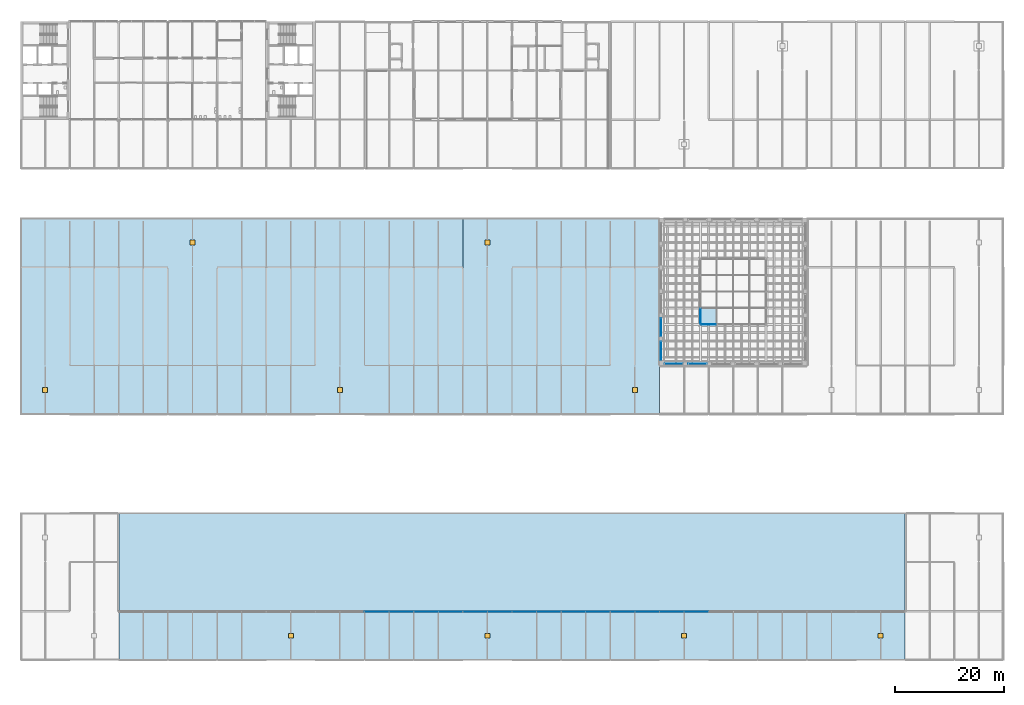
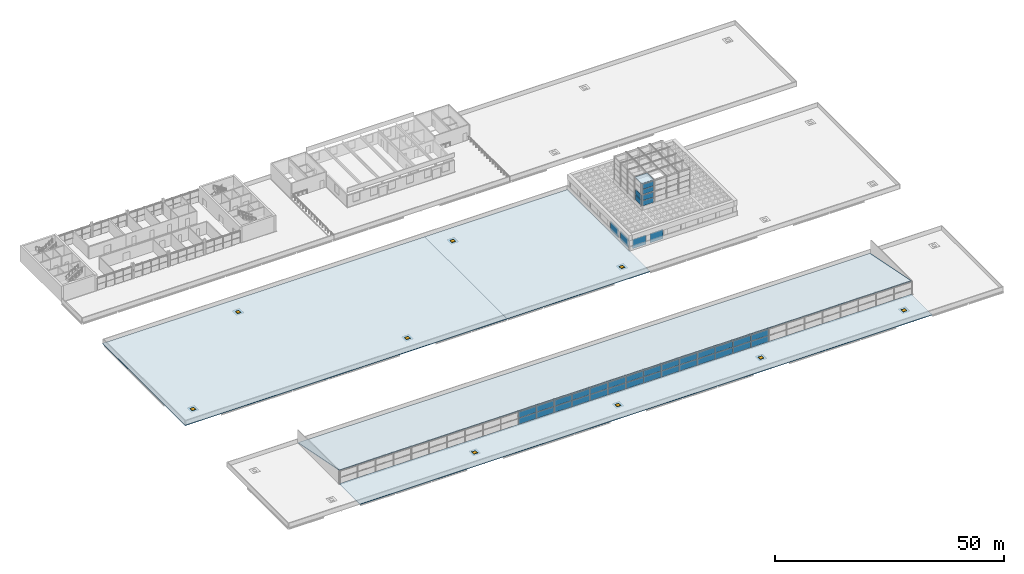
# One storey, part 38 of 50: 39 plates, 9 doors, 4 slabs, 9 openings, 15 elements without a shape of their own.
"""IFC4 building model written with IfcOpenShell, lengths in metres."""

from ifc_helpers import new_model, si_unit, direction, frame, origin, origin_2d, place, context, subcontext, project, spatial, polyline, rectangle, outline, extrude, material, layer, layer_set, type_object, element, fill, aggregate, save


model = new_model("IFC4")

# Units and contexts
model_context = context("Model", 3, precision=1e-05, world=origin(), true_north=direction((0.0, 1.0)))
body_context = subcontext(model_context, "Body", "Model", "MODEL_VIEW")
ifc_project = project(units=[si_unit("LENGTHUNIT", "METRE"), si_unit("AREAUNIT", "SQUARE_METRE"), si_unit("VOLUMEUNIT", "CUBIC_METRE"), si_unit("PLANEANGLEUNIT", "RADIAN"), si_unit("MASSUNIT", "GRAM", prefix="KILO")], contexts=[model_context])

# Site, building, storey
site_placement = place(None, origin())
site = spatial("IfcSite", under=ifc_project, at=site_placement, CompositionType="ELEMENT")
building_placement = place(site_placement, origin())
building = spatial("IfcBuilding", under=site, at=building_placement, Name="Corbel Yard City Hall", CompositionType="ELEMENT")
storey_placement = place(building_placement, frame((0.0, 0.0, 15.0)))
storey = spatial("IfcBuildingStorey", under=building, at=storey_placement, Name="L03", CompositionType="ELEMENT", Elevation=15.0)

# Curtain wall, plate
ifc_material_1 = material(Name="Stainless steel Grade 316", Category="steel")
ifc_layer_1 = layer(ifc_material_1, 0.050048828125)
ifc_layer_set_1 = layer_set([ifc_layer_1], Name="Stainless steel Grade 316")
curtain_wall_type_1 = type_object("IfcCurtainWallType", Name="CW9", PredefinedType="USERDEFINED", material=ifc_layer_set_1)
curtain_wall_1_placement = place(storey_placement, origin())
curtain_wall_1 = element("IfcCurtainWall", 1, at=curtain_wall_1_placement, inside=storey, type_object=curtain_wall_type_1, Name="Lantern roof glazing", ObjectType="CURTAIN WALL", PredefinedType="USERDEFINED")
ifc_material_2 = material(Name="Laminated heat-strengthened glass", Category="glass")
ifc_layer_2 = layer(ifc_material_2, 0.052001953125)
ifc_layer_set_2 = layer_set([ifc_layer_2], Name="Laminated heat-strengthened glass")
plate_type_1 = type_object("IfcPlateType", Name="PN10", PredefinedType="CURTAIN_PANEL", material=ifc_layer_set_2)
plate_1_placement = place(storey_placement, frame((125.93505859375, 62.93505859375, 10.64990234375), z_axis=(0.0, 0.0, 1.0), x_axis=(1.0, 0.0, 0.0)))
plate_1 = element("IfcPlate", 2, at=plate_1_placement, type_object=plate_type_1, Name="Lantern roof glazing panel", PredefinedType="CURTAIN_PANEL", context=body_context, shape_type="SweptSolid", body=[
    extrude(rectangle(XDim=3.070068359375, YDim=3.070068359375, at=origin_2d()), origin(), (0.0, 0.0, 1.0), 0.052001953125),
])
aggregate(curtain_wall_1, [plate_1])

# Curtain wall, plates
ifc_material_3 = material(Name="Aluminium extrusion", Category="aluminium")
ifc_layer_3 = layer(ifc_material_3, 0.1201171875)
ifc_layer_set_3 = layer_set([ifc_layer_3], Name="Aluminium extrusion")
curtain_wall_type_2 = type_object("IfcCurtainWallType", Name="CW3", PredefinedType="USERDEFINED", material=ifc_layer_set_3)
curtain_wall_2_placement = place(storey_placement, origin())
curtain_wall_2 = element("IfcCurtainWall", 3, at=curtain_wall_2_placement, inside=storey, type_object=curtain_wall_type_2, Name="Lantern glazing", ObjectType="CURTAIN WALL", PredefinedType="USERDEFINED")
ifc_layer_4 = layer(ifc_material_2, 0.0439453125)
ifc_layer_set_4 = layer_set([ifc_layer_4], Name="Laminated heat-strengthened glass")
plate_type_2 = type_object("IfcPlateType", Name="PN3", PredefinedType="CURTAIN_PANEL", material=ifc_layer_set_4)
plate_2_placement = place(storey_placement, frame((126.0, 61.5, 4.7001953125), z_axis=(0.0, 0.0, 1.0), x_axis=(1.0, 0.0, 0.0)))
plate_2 = element("IfcPlate", 4, at=plate_2_placement, type_object=plate_type_2, Name="CW3 panel 1.1", PredefinedType="CURTAIN_PANEL", context=body_context, shape_type="SweptSolid", body=[
    extrude(rectangle(XDim=2.699951171875, YDim=0.0439453125, at=origin_2d()), origin(), (0.0, 0.0, 1.0), 1.387451171875),
])
plate_3_placement = place(storey_placement, frame((126.0, 61.5, 6.1376953125), z_axis=(0.0, 0.0, 1.0), x_axis=(1.0, 0.0, 0.0)))
plate_3 = element("IfcPlate", 5, at=plate_3_placement, type_object=plate_type_2, Name="CW3 panel 1.2", PredefinedType="CURTAIN_PANEL", context=body_context, shape_type="SweptSolid", body=[
    extrude(rectangle(XDim=2.699951171875, YDim=0.0439453125, at=origin_2d()), origin(), (0.0, 0.0, 1.0), 1.387451171875),
])
aggregate(curtain_wall_2, [plate_2, plate_3])

curtain_wall_3_placement = place(storey_placement, origin())
curtain_wall_3 = element("IfcCurtainWall", 6, at=curtain_wall_3_placement, inside=storey, type_object=curtain_wall_type_2, Name="Lantern glazing", ObjectType="CURTAIN WALL", PredefinedType="USERDEFINED")
plate_4_placement = place(storey_placement, frame((124.5, 63.0, 4.7001953125), z_axis=(0.0, 0.0, 1.0), x_axis=(0.0, 1.0, 0.0)))
plate_4 = element("IfcPlate", 7, at=plate_4_placement, type_object=plate_type_2, Name="CW3 panel 1.1", PredefinedType="CURTAIN_PANEL", context=body_context, shape_type="SweptSolid", body=[
    extrude(rectangle(XDim=2.699951171875, YDim=0.0439453125, at=origin_2d()), origin(), (0.0, 0.0, 1.0), 1.387451171875),
])
plate_5_placement = place(storey_placement, frame((124.5, 63.0, 6.1376953125), z_axis=(0.0, 0.0, 1.0), x_axis=(0.0, 1.0, 0.0)))
plate_5 = element("IfcPlate", 8, at=plate_5_placement, type_object=plate_type_2, Name="CW3 panel 1.2", PredefinedType="CURTAIN_PANEL", context=body_context, shape_type="SweptSolid", body=[
    extrude(rectangle(XDim=2.699951171875, YDim=0.0439453125, at=origin_2d()), origin(), (0.0, 0.0, 1.0), 1.387451171875),
])
aggregate(curtain_wall_3, [plate_4, plate_5])

curtain_wall_4_placement = place(storey_placement, origin())
curtain_wall_4 = element("IfcCurtainWall", 9, at=curtain_wall_4_placement, inside=storey, type_object=curtain_wall_type_2, Name="Lantern glazing", ObjectType="CURTAIN WALL", PredefinedType="USERDEFINED")
plate_6_placement = place(storey_placement, frame((126.0, 61.5, 7.77490234375), z_axis=(0.0, 0.0, 1.0), x_axis=(1.0, 0.0, 0.0)))
plate_6 = element("IfcPlate", 10, at=plate_6_placement, type_object=plate_type_2, Name="CW3 panel 1.1", PredefinedType="CURTAIN_PANEL", context=body_context, shape_type="SweptSolid", body=[
    extrude(rectangle(XDim=2.699951171875, YDim=0.0439453125, at=origin_2d()), origin(), (0.0, 0.0, 1.0), 1.3125),
])
plate_7_placement = place(storey_placement, frame((126.0, 61.5, 9.137451171875), z_axis=(0.0, 0.0, 1.0), x_axis=(1.0, 0.0, 0.0)))
plate_7 = element("IfcPlate", 11, at=plate_7_placement, type_object=plate_type_2, Name="CW3 panel 1.2", PredefinedType="CURTAIN_PANEL", context=body_context, shape_type="SweptSolid", body=[
    extrude(rectangle(XDim=2.699951171875, YDim=0.0439453125, at=origin_2d()), origin(), (0.0, 0.0, 1.0), 1.3125),
])
aggregate(curtain_wall_4, [plate_6, plate_7])

# Curtain wall, plate
curtain_wall_5_placement = place(storey_placement, origin())
curtain_wall_5 = element("IfcCurtainWall", 12, at=curtain_wall_5_placement, inside=storey, type_object=curtain_wall_type_2, Name="Chamber clerestory glazing", ObjectType="CURTAIN WALL", PredefinedType="USERDEFINED")
plate_8_placement = place(storey_placement, frame((119.625, 54.300048828125, 0.050048828125), z_axis=(0.0, 0.0, 1.0), x_axis=(1.0, 0.0, 0.0)))
plate_8 = element("IfcPlate", 13, at=plate_8_placement, type_object=plate_type_2, Name="CW3 panel 1.1", PredefinedType="CURTAIN_PANEL", context=body_context, shape_type="SweptSolid", body=[
    extrude(rectangle(XDim=3.35009765625, YDim=0.0439453125, at=origin_2d()), origin(), (0.0, 0.0, 1.0), 2.5),
])
aggregate(curtain_wall_5, [plate_8])

curtain_wall_6_placement = place(storey_placement, origin())
curtain_wall_6 = element("IfcCurtainWall", 14, at=curtain_wall_6_placement, inside=storey, type_object=curtain_wall_type_2, Name="Chamber clerestory glazing", ObjectType="CURTAIN WALL", PredefinedType="USERDEFINED")
plate_9_placement = place(storey_placement, frame((123.97509765625, 54.300048828125, 0.050048828125), z_axis=(0.0, 0.0, 1.0), x_axis=(1.0, 0.0, 0.0)))
plate_9 = element("IfcPlate", 15, at=plate_9_placement, type_object=plate_type_2, Name="CW3 panel 1.1", PredefinedType="CURTAIN_PANEL", context=body_context, shape_type="SweptSolid", body=[
    extrude(rectangle(XDim=3.35009765625, YDim=0.0439453125, at=origin_2d()), origin(), (0.0, 0.0, 1.0), 2.5),
])
aggregate(curtain_wall_6, [plate_9])

curtain_wall_7_placement = place(storey_placement, origin())
curtain_wall_7 = element("IfcCurtainWall", 16, at=curtain_wall_7_placement, inside=storey, type_object=curtain_wall_type_2, Name="Chamber clerestory glazing", ObjectType="CURTAIN WALL", PredefinedType="USERDEFINED")
plate_10_placement = place(storey_placement, frame((117.300048828125, 56.625, 0.050048828125), z_axis=(0.0, 0.0, 1.0), x_axis=(0.0, 1.0, 0.0)))
plate_10 = element("IfcPlate", 17, at=plate_10_placement, type_object=plate_type_2, Name="CW3 panel 1.1", PredefinedType="CURTAIN_PANEL", context=body_context, shape_type="SweptSolid", body=[
    extrude(rectangle(XDim=3.35009765625, YDim=0.0439453125, at=origin_2d()), origin(), (0.0, 0.0, 1.0), 2.5),
])
aggregate(curtain_wall_7, [plate_10])

curtain_wall_8_placement = place(storey_placement, origin())
curtain_wall_8 = element("IfcCurtainWall", 18, at=curtain_wall_8_placement, inside=storey, type_object=curtain_wall_type_2, Name="Chamber clerestory glazing", ObjectType="CURTAIN WALL", PredefinedType="USERDEFINED")
plate_11_placement = place(storey_placement, frame((117.300048828125, 60.97509765625, 0.050048828125), z_axis=(0.0, 0.0, 1.0), x_axis=(0.0, 1.0, 0.0)))
plate_11 = element("IfcPlate", 19, at=plate_11_placement, type_object=plate_type_2, Name="CW3 panel 1.1", PredefinedType="CURTAIN_PANEL", context=body_context, shape_type="SweptSolid", body=[
    extrude(rectangle(XDim=3.35009765625, YDim=0.0439453125, at=origin_2d()), origin(), (0.0, 0.0, 1.0), 2.5),
])
aggregate(curtain_wall_8, [plate_11])

# Curtain wall, plates
ifc_layer_5 = layer(ifc_material_3, 0.219970703125)
ifc_layer_set_5 = layer_set([ifc_layer_5], Name="Aluminium extrusion")
curtain_wall_type_3 = type_object("IfcCurtainWallType", Name="CW5", PredefinedType="USERDEFINED", material=ifc_layer_set_5)
curtain_wall_9_placement = place(storey_placement, origin())
curtain_wall_9 = element("IfcCurtainWall", 20, at=curtain_wall_9_placement, inside=storey, type_object=curtain_wall_type_3, Name="Hall south clerestory curtain wall", ObjectType="CURTAIN WALL", PredefinedType="USERDEFINED")
ifc_material_4 = material(Name="Acoustic laminated glass", Category="glass")
ifc_layer_6 = layer(ifc_material_4, 0.031982421875)
ifc_layer_set_6 = layer_set([ifc_layer_6], Name="Acoustic laminated glass")
plate_type_3 = type_object("IfcPlateType", Name="PN6", PredefinedType="CURTAIN_PANEL", material=ifc_layer_set_6)
plate_12_placement = place(storey_placement, frame((65.266357421875, 8.889892578125, 0.06494140625), z_axis=(0.0, 0.0, 1.0), x_axis=(1.0, 0.0, 0.0)))
plate_12 = element("IfcPlate", 21, at=plate_12_placement, type_object=plate_type_3, Name="CW5 panel 1.1", PredefinedType="CURTAIN_PANEL", context=body_context, shape_type="SweptSolid", body=[
    extrude(rectangle(XDim=4.402587890625, YDim=0.031982421875, at=origin_2d()), origin(), (0.0, 0.0, 1.0), 1.62744140625),
])
plate_13_placement = place(storey_placement, frame((65.266357421875, 8.889892578125, 1.757568359375), z_axis=(0.0, 0.0, 1.0), x_axis=(1.0, 0.0, 0.0)))
plate_13 = element("IfcPlate", 22, at=plate_13_placement, type_object=plate_type_3, Name="CW5 panel 1.2", PredefinedType="CURTAIN_PANEL", context=body_context, shape_type="SweptSolid", body=[
    extrude(rectangle(XDim=4.402587890625, YDim=0.031982421875, at=origin_2d()), origin(), (0.0, 0.0, 1.0), 1.62744140625),
])
plate_14_placement = place(storey_placement, frame((69.733642578125, 8.889892578125, 0.06494140625), z_axis=(0.0, 0.0, 1.0), x_axis=(1.0, 0.0, 0.0)))
plate_14 = element("IfcPlate", 23, at=plate_14_placement, type_object=plate_type_3, Name="CW5 panel 2.1", PredefinedType="CURTAIN_PANEL", context=body_context, shape_type="SweptSolid", body=[
    extrude(rectangle(XDim=4.402587890625, YDim=0.031982421875, at=origin_2d()), origin(), (0.0, 0.0, 1.0), 1.62744140625),
])
plate_15_placement = place(storey_placement, frame((69.733642578125, 8.889892578125, 1.757568359375), z_axis=(0.0, 0.0, 1.0), x_axis=(1.0, 0.0, 0.0)))
plate_15 = element("IfcPlate", 24, at=plate_15_placement, type_object=plate_type_3, Name="CW5 panel 2.2", PredefinedType="CURTAIN_PANEL", context=body_context, shape_type="SweptSolid", body=[
    extrude(rectangle(XDim=4.402587890625, YDim=0.031982421875, at=origin_2d()), origin(), (0.0, 0.0, 1.0), 1.62744140625),
])
aggregate(curtain_wall_9, [plate_12, plate_13, plate_14, plate_15])

curtain_wall_10_placement = place(storey_placement, origin())
curtain_wall_10 = element("IfcCurtainWall", 25, at=curtain_wall_10_placement, inside=storey, type_object=curtain_wall_type_3, Name="Hall south clerestory curtain wall", ObjectType="CURTAIN WALL", PredefinedType="USERDEFINED")
plate_16_placement = place(storey_placement, frame((74.266357421875, 8.889892578125, 0.06494140625), z_axis=(0.0, 0.0, 1.0), x_axis=(1.0, 0.0, 0.0)))
plate_16 = element("IfcPlate", 26, at=plate_16_placement, type_object=plate_type_3, Name="CW5 panel 1.1", PredefinedType="CURTAIN_PANEL", context=body_context, shape_type="SweptSolid", body=[
    extrude(rectangle(XDim=4.402587890625, YDim=0.031982421875, at=origin_2d()), origin(), (0.0, 0.0, 1.0), 1.62744140625),
])
plate_17_placement = place(storey_placement, frame((74.266357421875, 8.889892578125, 1.757568359375), z_axis=(0.0, 0.0, 1.0), x_axis=(1.0, 0.0, 0.0)))
plate_17 = element("IfcPlate", 27, at=plate_17_placement, type_object=plate_type_3, Name="CW5 panel 1.2", PredefinedType="CURTAIN_PANEL", context=body_context, shape_type="SweptSolid", body=[
    extrude(rectangle(XDim=4.402587890625, YDim=0.031982421875, at=origin_2d()), origin(), (0.0, 0.0, 1.0), 1.62744140625),
])
plate_18_placement = place(storey_placement, frame((78.733642578125, 8.889892578125, 0.06494140625), z_axis=(0.0, 0.0, 1.0), x_axis=(1.0, 0.0, 0.0)))
plate_18 = element("IfcPlate", 28, at=plate_18_placement, type_object=plate_type_3, Name="CW5 panel 2.1", PredefinedType="CURTAIN_PANEL", context=body_context, shape_type="SweptSolid", body=[
    extrude(rectangle(XDim=4.402587890625, YDim=0.031982421875, at=origin_2d()), origin(), (0.0, 0.0, 1.0), 1.62744140625),
])
plate_19_placement = place(storey_placement, frame((78.733642578125, 8.889892578125, 1.757568359375), z_axis=(0.0, 0.0, 1.0), x_axis=(1.0, 0.0, 0.0)))
plate_19 = element("IfcPlate", 29, at=plate_19_placement, type_object=plate_type_3, Name="CW5 panel 2.2", PredefinedType="CURTAIN_PANEL", context=body_context, shape_type="SweptSolid", body=[
    extrude(rectangle(XDim=4.402587890625, YDim=0.031982421875, at=origin_2d()), origin(), (0.0, 0.0, 1.0), 1.62744140625),
])
aggregate(curtain_wall_10, [plate_16, plate_17, plate_18, plate_19])

curtain_wall_11_placement = place(storey_placement, origin())
curtain_wall_11 = element("IfcCurtainWall", 30, at=curtain_wall_11_placement, inside=storey, type_object=curtain_wall_type_3, Name="Hall south clerestory curtain wall", ObjectType="CURTAIN WALL", PredefinedType="USERDEFINED")
plate_20_placement = place(storey_placement, frame((83.266357421875, 8.889892578125, 0.06494140625), z_axis=(0.0, 0.0, 1.0), x_axis=(1.0, 0.0, 0.0)))
plate_20 = element("IfcPlate", 31, at=plate_20_placement, type_object=plate_type_3, Name="CW5 panel 1.1", PredefinedType="CURTAIN_PANEL", context=body_context, shape_type="SweptSolid", body=[
    extrude(rectangle(XDim=4.402587890625, YDim=0.031982421875, at=origin_2d()), origin(), (0.0, 0.0, 1.0), 1.62744140625),
])
plate_21_placement = place(storey_placement, frame((83.266357421875, 8.889892578125, 1.757568359375), z_axis=(0.0, 0.0, 1.0), x_axis=(1.0, 0.0, 0.0)))
plate_21 = element("IfcPlate", 32, at=plate_21_placement, type_object=plate_type_3, Name="CW5 panel 1.2", PredefinedType="CURTAIN_PANEL", context=body_context, shape_type="SweptSolid", body=[
    extrude(rectangle(XDim=4.402587890625, YDim=0.031982421875, at=origin_2d()), origin(), (0.0, 0.0, 1.0), 1.62744140625),
])
plate_22_placement = place(storey_placement, frame((87.733642578125, 8.889892578125, 0.06494140625), z_axis=(0.0, 0.0, 1.0), x_axis=(1.0, 0.0, 0.0)))
plate_22 = element("IfcPlate", 33, at=plate_22_placement, type_object=plate_type_3, Name="CW5 panel 2.1", PredefinedType="CURTAIN_PANEL", context=body_context, shape_type="SweptSolid", body=[
    extrude(rectangle(XDim=4.402587890625, YDim=0.031982421875, at=origin_2d()), origin(), (0.0, 0.0, 1.0), 1.62744140625),
])
plate_23_placement = place(storey_placement, frame((87.733642578125, 8.889892578125, 1.757568359375), z_axis=(0.0, 0.0, 1.0), x_axis=(1.0, 0.0, 0.0)))
plate_23 = element("IfcPlate", 34, at=plate_23_placement, type_object=plate_type_3, Name="CW5 panel 2.2", PredefinedType="CURTAIN_PANEL", context=body_context, shape_type="SweptSolid", body=[
    extrude(rectangle(XDim=4.402587890625, YDim=0.031982421875, at=origin_2d()), origin(), (0.0, 0.0, 1.0), 1.62744140625),
])
aggregate(curtain_wall_11, [plate_20, plate_21, plate_22, plate_23])

curtain_wall_12_placement = place(storey_placement, origin())
curtain_wall_12 = element("IfcCurtainWall", 35, at=curtain_wall_12_placement, inside=storey, type_object=curtain_wall_type_3, Name="Hall south clerestory curtain wall", ObjectType="CURTAIN WALL", PredefinedType="USERDEFINED")
plate_24_placement = place(storey_placement, frame((92.266357421875, 8.889892578125, 0.06494140625), z_axis=(0.0, 0.0, 1.0), x_axis=(1.0, 0.0, 0.0)))
plate_24 = element("IfcPlate", 36, at=plate_24_placement, type_object=plate_type_3, Name="CW5 panel 1.1", PredefinedType="CURTAIN_PANEL", context=body_context, shape_type="SweptSolid", body=[
    extrude(rectangle(XDim=4.402587890625, YDim=0.031982421875, at=origin_2d()), origin(), (0.0, 0.0, 1.0), 1.62744140625),
])
plate_25_placement = place(storey_placement, frame((92.266357421875, 8.889892578125, 1.757568359375), z_axis=(0.0, 0.0, 1.0), x_axis=(1.0, 0.0, 0.0)))
plate_25 = element("IfcPlate", 37, at=plate_25_placement, type_object=plate_type_3, Name="CW5 panel 1.2", PredefinedType="CURTAIN_PANEL", context=body_context, shape_type="SweptSolid", body=[
    extrude(rectangle(XDim=4.402587890625, YDim=0.031982421875, at=origin_2d()), origin(), (0.0, 0.0, 1.0), 1.62744140625),
])
plate_26_placement = place(storey_placement, frame((96.733642578125, 8.889892578125, 0.06494140625), z_axis=(0.0, 0.0, 1.0), x_axis=(1.0, 0.0, 0.0)))
plate_26 = element("IfcPlate", 38, at=plate_26_placement, type_object=plate_type_3, Name="CW5 panel 2.1", PredefinedType="CURTAIN_PANEL", context=body_context, shape_type="SweptSolid", body=[
    extrude(rectangle(XDim=4.402587890625, YDim=0.031982421875, at=origin_2d()), origin(), (0.0, 0.0, 1.0), 1.62744140625),
])
plate_27_placement = place(storey_placement, frame((96.733642578125, 8.889892578125, 1.757568359375), z_axis=(0.0, 0.0, 1.0), x_axis=(1.0, 0.0, 0.0)))
plate_27 = element("IfcPlate", 39, at=plate_27_placement, type_object=plate_type_3, Name="CW5 panel 2.2", PredefinedType="CURTAIN_PANEL", context=body_context, shape_type="SweptSolid", body=[
    extrude(rectangle(XDim=4.402587890625, YDim=0.031982421875, at=origin_2d()), origin(), (0.0, 0.0, 1.0), 1.62744140625),
])
aggregate(curtain_wall_12, [plate_24, plate_25, plate_26, plate_27])

curtain_wall_13_placement = place(storey_placement, origin())
curtain_wall_13 = element("IfcCurtainWall", 40, at=curtain_wall_13_placement, inside=storey, type_object=curtain_wall_type_3, Name="Hall south clerestory curtain wall", ObjectType="CURTAIN WALL", PredefinedType="USERDEFINED")
plate_28_placement = place(storey_placement, frame((101.266357421875, 8.889892578125, 0.06494140625), z_axis=(0.0, 0.0, 1.0), x_axis=(1.0, 0.0, 0.0)))
plate_28 = element("IfcPlate", 41, at=plate_28_placement, type_object=plate_type_3, Name="CW5 panel 1.1", PredefinedType="CURTAIN_PANEL", context=body_context, shape_type="SweptSolid", body=[
    extrude(rectangle(XDim=4.402587890625, YDim=0.031982421875, at=origin_2d()), origin(), (0.0, 0.0, 1.0), 1.62744140625),
])
plate_29_placement = place(storey_placement, frame((101.266357421875, 8.889892578125, 1.757568359375), z_axis=(0.0, 0.0, 1.0), x_axis=(1.0, 0.0, 0.0)))
plate_29 = element("IfcPlate", 42, at=plate_29_placement, type_object=plate_type_3, Name="CW5 panel 1.2", PredefinedType="CURTAIN_PANEL", context=body_context, shape_type="SweptSolid", body=[
    extrude(rectangle(XDim=4.402587890625, YDim=0.031982421875, at=origin_2d()), origin(), (0.0, 0.0, 1.0), 1.62744140625),
])
plate_30_placement = place(storey_placement, frame((105.733642578125, 8.889892578125, 0.06494140625), z_axis=(0.0, 0.0, 1.0), x_axis=(1.0, 0.0, 0.0)))
plate_30 = element("IfcPlate", 43, at=plate_30_placement, type_object=plate_type_3, Name="CW5 panel 2.1", PredefinedType="CURTAIN_PANEL", context=body_context, shape_type="SweptSolid", body=[
    extrude(rectangle(XDim=4.402587890625, YDim=0.031982421875, at=origin_2d()), origin(), (0.0, 0.0, 1.0), 1.62744140625),
])
plate_31_placement = place(storey_placement, frame((105.733642578125, 8.889892578125, 1.757568359375), z_axis=(0.0, 0.0, 1.0), x_axis=(1.0, 0.0, 0.0)))
plate_31 = element("IfcPlate", 44, at=plate_31_placement, type_object=plate_type_3, Name="CW5 panel 2.2", PredefinedType="CURTAIN_PANEL", context=body_context, shape_type="SweptSolid", body=[
    extrude(rectangle(XDim=4.402587890625, YDim=0.031982421875, at=origin_2d()), origin(), (0.0, 0.0, 1.0), 1.62744140625),
])
aggregate(curtain_wall_13, [plate_28, plate_29, plate_30, plate_31])

curtain_wall_14_placement = place(storey_placement, origin())
curtain_wall_14 = element("IfcCurtainWall", 45, at=curtain_wall_14_placement, inside=storey, type_object=curtain_wall_type_3, Name="Hall south clerestory curtain wall", ObjectType="CURTAIN WALL", PredefinedType="USERDEFINED")
plate_32_placement = place(storey_placement, frame((110.266357421875, 8.889892578125, 0.06494140625), z_axis=(0.0, 0.0, 1.0), x_axis=(1.0, 0.0, 0.0)))
plate_32 = element("IfcPlate", 46, at=plate_32_placement, type_object=plate_type_3, Name="CW5 panel 1.1", PredefinedType="CURTAIN_PANEL", context=body_context, shape_type="SweptSolid", body=[
    extrude(rectangle(XDim=4.402587890625, YDim=0.031982421875, at=origin_2d()), origin(), (0.0, 0.0, 1.0), 1.62744140625),
])
plate_33_placement = place(storey_placement, frame((110.266357421875, 8.889892578125, 1.757568359375), z_axis=(0.0, 0.0, 1.0), x_axis=(1.0, 0.0, 0.0)))
plate_33 = element("IfcPlate", 47, at=plate_33_placement, type_object=plate_type_3, Name="CW5 panel 1.2", PredefinedType="CURTAIN_PANEL", context=body_context, shape_type="SweptSolid", body=[
    extrude(rectangle(XDim=4.402587890625, YDim=0.031982421875, at=origin_2d()), origin(), (0.0, 0.0, 1.0), 1.62744140625),
])
plate_34_placement = place(storey_placement, frame((114.733642578125, 8.889892578125, 0.06494140625), z_axis=(0.0, 0.0, 1.0), x_axis=(1.0, 0.0, 0.0)))
plate_34 = element("IfcPlate", 48, at=plate_34_placement, type_object=plate_type_3, Name="CW5 panel 2.1", PredefinedType="CURTAIN_PANEL", context=body_context, shape_type="SweptSolid", body=[
    extrude(rectangle(XDim=4.402587890625, YDim=0.031982421875, at=origin_2d()), origin(), (0.0, 0.0, 1.0), 1.62744140625),
])
plate_35_placement = place(storey_placement, frame((114.733642578125, 8.889892578125, 1.757568359375), z_axis=(0.0, 0.0, 1.0), x_axis=(1.0, 0.0, 0.0)))
plate_35 = element("IfcPlate", 49, at=plate_35_placement, type_object=plate_type_3, Name="CW5 panel 2.2", PredefinedType="CURTAIN_PANEL", context=body_context, shape_type="SweptSolid", body=[
    extrude(rectangle(XDim=4.402587890625, YDim=0.031982421875, at=origin_2d()), origin(), (0.0, 0.0, 1.0), 1.62744140625),
])
aggregate(curtain_wall_14, [plate_32, plate_33, plate_34, plate_35])

curtain_wall_15_placement = place(storey_placement, origin())
curtain_wall_15 = element("IfcCurtainWall", 50, at=curtain_wall_15_placement, inside=storey, type_object=curtain_wall_type_3, Name="Hall south clerestory curtain wall", ObjectType="CURTAIN WALL", PredefinedType="USERDEFINED")
plate_36_placement = place(storey_placement, frame((119.266357421875, 8.889892578125, 0.06494140625), z_axis=(0.0, 0.0, 1.0), x_axis=(1.0, 0.0, 0.0)))
plate_36 = element("IfcPlate", 51, at=plate_36_placement, type_object=plate_type_3, Name="CW5 panel 1.1", PredefinedType="CURTAIN_PANEL", context=body_context, shape_type="SweptSolid", body=[
    extrude(rectangle(XDim=4.402587890625, YDim=0.031982421875, at=origin_2d()), origin(), (0.0, 0.0, 1.0), 1.62744140625),
])
plate_37_placement = place(storey_placement, frame((119.266357421875, 8.889892578125, 1.757568359375), z_axis=(0.0, 0.0, 1.0), x_axis=(1.0, 0.0, 0.0)))
plate_37 = element("IfcPlate", 52, at=plate_37_placement, type_object=plate_type_3, Name="CW5 panel 1.2", PredefinedType="CURTAIN_PANEL", context=body_context, shape_type="SweptSolid", body=[
    extrude(rectangle(XDim=4.402587890625, YDim=0.031982421875, at=origin_2d()), origin(), (0.0, 0.0, 1.0), 1.62744140625),
])
plate_38_placement = place(storey_placement, frame((123.733642578125, 8.889892578125, 0.06494140625), z_axis=(0.0, 0.0, 1.0), x_axis=(1.0, 0.0, 0.0)))
plate_38 = element("IfcPlate", 53, at=plate_38_placement, type_object=plate_type_3, Name="CW5 panel 2.1", PredefinedType="CURTAIN_PANEL", context=body_context, shape_type="SweptSolid", body=[
    extrude(rectangle(XDim=4.402587890625, YDim=0.031982421875, at=origin_2d()), origin(), (0.0, 0.0, 1.0), 1.62744140625),
])
plate_39_placement = place(storey_placement, frame((123.733642578125, 8.889892578125, 1.757568359375), z_axis=(0.0, 0.0, 1.0), x_axis=(1.0, 0.0, 0.0)))
plate_39 = element("IfcPlate", 54, at=plate_39_placement, type_object=plate_type_3, Name="CW5 panel 2.2", PredefinedType="CURTAIN_PANEL", context=body_context, shape_type="SweptSolid", body=[
    extrude(rectangle(XDim=4.402587890625, YDim=0.031982421875, at=origin_2d()), origin(), (0.0, 0.0, 1.0), 1.62744140625),
])
aggregate(curtain_wall_15, [plate_36, plate_37, plate_38, plate_39])

# Slab, openings, doors
ifc_material_5 = material(Name="Concrete N40 (40 MPa)", Category="concrete")
ifc_layer_7 = layer(ifc_material_5, 0.14990234375)
ifc_layer_set_7 = layer_set([ifc_layer_7], Name="Concrete N40 (40 MPa)")
slab_type = type_object("IfcSlabType", Name="Roof deck 150", PredefinedType="ROOF", material=ifc_layer_set_7)
slab_1_placement = place(storey_placement, frame((0.0, 0.0, -0.14990234375)))
slab_1 = element("IfcSlab", 55, at=slab_1_placement, inside=storey, type_object=slab_type, Name="Roof deck Hall ribbon", PredefinedType="ROOF", context=body_context, shape_type="SweptSolid", body=[
    extrude(outline(polyline([(18.0, 0.0), (162.0, 0.0), (162.0, 9.0), (18.0, 9.0), (18.0, 0.0)])), origin(), (0.0, 0.0, 1.0), 0.14990234375),
])
opening_1_placement = place(slab_1_placement, frame((49.5, 4.5, 0.0)))
opening_1 = element("IfcOpeningElement", 56, at=opening_1_placement, cuts=slab_1, Name="Opening HT1", PredefinedType="OPENING", context=body_context, shape_type="SweptSolid", body=[
    extrude(rectangle(XDim=0.89990234375, YDim=0.89990234375, at=origin_2d()), frame((0.0, 0.0, -0.010009765625)), (0.0, 0.0, 1.0), 0.169921875),
])
opening_2_placement = place(slab_1_placement, frame((85.5, 4.5, 0.0)))
opening_2 = element("IfcOpeningElement", 57, at=opening_2_placement, cuts=slab_1, Name="Opening HT1", PredefinedType="OPENING", context=body_context, shape_type="SweptSolid", body=[
    extrude(rectangle(XDim=0.89990234375, YDim=0.89990234375, at=origin_2d()), frame((0.0, 0.0, -0.010009765625)), (0.0, 0.0, 1.0), 0.169921875),
])
opening_3_placement = place(slab_1_placement, frame((121.5, 4.5, 0.0)))
opening_3 = element("IfcOpeningElement", 58, at=opening_3_placement, cuts=slab_1, Name="Opening HT1", PredefinedType="OPENING", context=body_context, shape_type="SweptSolid", body=[
    extrude(rectangle(XDim=0.89990234375, YDim=0.89990234375, at=origin_2d()), frame((0.0, 0.0, -0.010009765625)), (0.0, 0.0, 1.0), 0.169921875),
])
opening_4_placement = place(slab_1_placement, frame((157.5, 4.5, 0.0)))
opening_4 = element("IfcOpeningElement", 59, at=opening_4_placement, cuts=slab_1, Name="Opening HT1", PredefinedType="OPENING", context=body_context, shape_type="SweptSolid", body=[
    extrude(rectangle(XDim=0.89990234375, YDim=0.89990234375, at=origin_2d()), frame((0.0, 0.0, -0.010009765625)), (0.0, 0.0, 1.0), 0.169921875),
])
ifc_material_6 = material(Name="Steel Grade G250", Category="steel")
door_type = type_object("IfcDoorType", Name="HT1", OperationType="SINGLE_SWING_LEFT", PredefinedType="TRAPDOOR", material=ifc_material_6)
door_1_placement = place(opening_1_placement, frame((0.0, 0.0, 0.099853515625)))
door_1 = element("IfcDoor", 60, at=door_1_placement, inside=storey, type_object=door_type, Name="Roof hatch PC-S1", OperationType="SINGLE_SWING_LEFT", OverallHeight=0.89990234375, OverallWidth=0.89990234375, PredefinedType="TRAPDOOR", context=body_context, shape_type="SweptSolid", body=[
    extrude(rectangle(XDim=0.89990234375, YDim=0.89990234375, at=origin_2d()), origin(), (0.0, 0.0, 1.0), 0.050048828125),
])
fill(opening_1, door_1)
door_2_placement = place(opening_2_placement, frame((0.0, 0.0, 0.099853515625)))
door_2 = element("IfcDoor", 61, at=door_2_placement, inside=storey, type_object=door_type, Name="Roof hatch PC-S2", OperationType="SINGLE_SWING_LEFT", OverallHeight=0.89990234375, OverallWidth=0.89990234375, PredefinedType="TRAPDOOR", context=body_context, shape_type="SweptSolid", body=[
    extrude(rectangle(XDim=0.89990234375, YDim=0.89990234375, at=origin_2d()), origin(), (0.0, 0.0, 1.0), 0.050048828125),
])
fill(opening_2, door_2)
door_3_placement = place(opening_3_placement, frame((0.0, 0.0, 0.099853515625)))
door_3 = element("IfcDoor", 62, at=door_3_placement, inside=storey, type_object=door_type, Name="Roof hatch PC-S3", OperationType="SINGLE_SWING_LEFT", OverallHeight=0.89990234375, OverallWidth=0.89990234375, PredefinedType="TRAPDOOR", context=body_context, shape_type="SweptSolid", body=[
    extrude(rectangle(XDim=0.89990234375, YDim=0.89990234375, at=origin_2d()), origin(), (0.0, 0.0, 1.0), 0.050048828125),
])
fill(opening_3, door_3)
door_4_placement = place(opening_4_placement, frame((0.0, 0.0, 0.099853515625)))
door_4 = element("IfcDoor", 63, at=door_4_placement, inside=storey, type_object=door_type, Name="Roof hatch PC-S4", OperationType="SINGLE_SWING_LEFT", OverallHeight=0.89990234375, OverallWidth=0.89990234375, PredefinedType="TRAPDOOR", context=body_context, shape_type="SweptSolid", body=[
    extrude(rectangle(XDim=0.89990234375, YDim=0.89990234375, at=origin_2d()), origin(), (0.0, 0.0, 1.0), 0.050048828125),
])
fill(opening_4, door_4)

slab_2_placement = place(storey_placement, frame((0.0, 0.0, -0.14990234375)))
slab_2 = element("IfcSlab", 64, at=slab_2_placement, inside=storey, type_object=slab_type, Name="Roof deck Citizens' Service Centre block", PredefinedType="ROOF", context=body_context, shape_type="SweptSolid", body=[
    extrude(outline(polyline([(0.0, 45.0), (81.0, 45.0), (81.0, 81.0), (0.0, 81.0), (0.0, 45.0)])), origin(), (0.0, 0.0, 1.0), 0.14990234375),
])
opening_5_placement = place(slab_2_placement, frame((4.5, 49.5, 0.0)))
opening_5 = element("IfcOpeningElement", 65, at=opening_5_placement, cuts=slab_2, Name="Opening HT1", PredefinedType="OPENING", context=body_context, shape_type="SweptSolid", body=[
    extrude(rectangle(XDim=0.89990234375, YDim=0.89990234375, at=origin_2d()), frame((0.0, 0.0, -0.010009765625)), (0.0, 0.0, 1.0), 0.169921875),
])
opening_6_placement = place(slab_2_placement, frame((58.5, 49.5, 0.0)))
opening_6 = element("IfcOpeningElement", 66, at=opening_6_placement, cuts=slab_2, Name="Opening HT1", PredefinedType="OPENING", context=body_context, shape_type="SweptSolid", body=[
    extrude(rectangle(XDim=0.89990234375, YDim=0.89990234375, at=origin_2d()), frame((0.0, 0.0, -0.010009765625)), (0.0, 0.0, 1.0), 0.169921875),
])
opening_7_placement = place(slab_2_placement, frame((31.5, 76.5, 0.0)))
opening_7 = element("IfcOpeningElement", 67, at=opening_7_placement, cuts=slab_2, Name="Opening HT1", PredefinedType="OPENING", context=body_context, shape_type="SweptSolid", body=[
    extrude(rectangle(XDim=0.89990234375, YDim=0.89990234375, at=origin_2d()), frame((0.0, 0.0, -0.010009765625)), (0.0, 0.0, 1.0), 0.169921875),
])
door_5_placement = place(opening_5_placement, frame((0.0, 0.0, 0.099853515625)))
door_5 = element("IfcDoor", 68, at=door_5_placement, inside=storey, type_object=door_type, Name="Roof hatch PC-M1", OperationType="SINGLE_SWING_LEFT", OverallHeight=0.89990234375, OverallWidth=0.89990234375, PredefinedType="TRAPDOOR", context=body_context, shape_type="SweptSolid", body=[
    extrude(rectangle(XDim=0.89990234375, YDim=0.89990234375, at=origin_2d()), origin(), (0.0, 0.0, 1.0), 0.050048828125),
])
fill(opening_5, door_5)
door_6_placement = place(opening_6_placement, frame((0.0, 0.0, 0.099853515625)))
door_6 = element("IfcDoor", 69, at=door_6_placement, inside=storey, type_object=door_type, Name="Roof hatch PC-M2", OperationType="SINGLE_SWING_LEFT", OverallHeight=0.89990234375, OverallWidth=0.89990234375, PredefinedType="TRAPDOOR", context=body_context, shape_type="SweptSolid", body=[
    extrude(rectangle(XDim=0.89990234375, YDim=0.89990234375, at=origin_2d()), origin(), (0.0, 0.0, 1.0), 0.050048828125),
])
fill(opening_6, door_6)
door_7_placement = place(opening_7_placement, frame((0.0, 0.0, 0.099853515625)))
door_7 = element("IfcDoor", 70, at=door_7_placement, inside=storey, type_object=door_type, Name="Roof hatch PC-M6", OperationType="SINGLE_SWING_LEFT", OverallHeight=0.89990234375, OverallWidth=0.89990234375, PredefinedType="TRAPDOOR", context=body_context, shape_type="SweptSolid", body=[
    extrude(rectangle(XDim=0.89990234375, YDim=0.89990234375, at=origin_2d()), origin(), (0.0, 0.0, 1.0), 0.050048828125),
])
fill(opening_7, door_7)

slab_3_placement = place(storey_placement, frame((0.0, 0.0, -0.14990234375)))
slab_3 = element("IfcSlab", 71, at=slab_3_placement, inside=storey, type_object=slab_type, Name="Roof deck Civic Foyer", PredefinedType="ROOF", context=body_context, shape_type="SweptSolid", body=[
    extrude(outline(polyline([(81.0, 45.0), (117.0, 45.0), (117.0, 81.0), (81.0, 81.0), (81.0, 45.0)])), origin(), (0.0, 0.0, 1.0), 0.14990234375),
])
opening_8_placement = place(slab_3_placement, frame((112.5, 49.5, 0.0)))
opening_8 = element("IfcOpeningElement", 72, at=opening_8_placement, cuts=slab_3, Name="Opening HT1", PredefinedType="OPENING", context=body_context, shape_type="SweptSolid", body=[
    extrude(rectangle(XDim=0.89990234375, YDim=0.89990234375, at=origin_2d()), frame((0.0, 0.0, -0.010009765625)), (0.0, 0.0, 1.0), 0.169921875),
])
opening_9_placement = place(slab_3_placement, frame((85.5, 76.5, 0.0)))
opening_9 = element("IfcOpeningElement", 73, at=opening_9_placement, cuts=slab_3, Name="Opening HT1", PredefinedType="OPENING", context=body_context, shape_type="SweptSolid", body=[
    extrude(rectangle(XDim=0.89990234375, YDim=0.89990234375, at=origin_2d()), frame((0.0, 0.0, -0.010009765625)), (0.0, 0.0, 1.0), 0.169921875),
])
door_8_placement = place(opening_8_placement, frame((0.0, 0.0, 0.099853515625)))
door_8 = element("IfcDoor", 74, at=door_8_placement, inside=storey, type_object=door_type, Name="Roof hatch PC-M3", OperationType="SINGLE_SWING_LEFT", OverallHeight=0.89990234375, OverallWidth=0.89990234375, PredefinedType="TRAPDOOR", context=body_context, shape_type="SweptSolid", body=[
    extrude(rectangle(XDim=0.89990234375, YDim=0.89990234375, at=origin_2d()), origin(), (0.0, 0.0, 1.0), 0.050048828125),
])
fill(opening_8, door_8)
door_9_placement = place(opening_9_placement, frame((0.0, 0.0, 0.099853515625)))
door_9 = element("IfcDoor", 75, at=door_9_placement, inside=storey, type_object=door_type, Name="Roof hatch PC-M7", OperationType="SINGLE_SWING_LEFT", OverallHeight=0.89990234375, OverallWidth=0.89990234375, PredefinedType="TRAPDOOR", context=body_context, shape_type="SweptSolid", body=[
    extrude(rectangle(XDim=0.89990234375, YDim=0.89990234375, at=origin_2d()), origin(), (0.0, 0.0, 1.0), 0.050048828125),
])
fill(opening_9, door_9)

# Slab
slab_4_placement = place(storey_placement, frame((18.0, 9.0, 3.60009765625), z_axis=(0.0, 0.196121250506, 0.980579652604), x_axis=(1.0, 0.0, 0.0)))
element("IfcSlab", 76, at=slab_4_placement, inside=storey, type_object=slab_type, Name="Roof deck Public Hall", PredefinedType="ROOF", context=body_context, shape_type="SweptSolid", body=[
    extrude(outline(polyline([(0.0, 0.0), (144.0, 0.0), (144.0, 18.356489401150117), (0.0, 18.356489401150117), (0.0, 0.0)])), origin(), (0.0, 0.0, -1.0), 0.14990234375),
])

save(model, "model.ifc")
